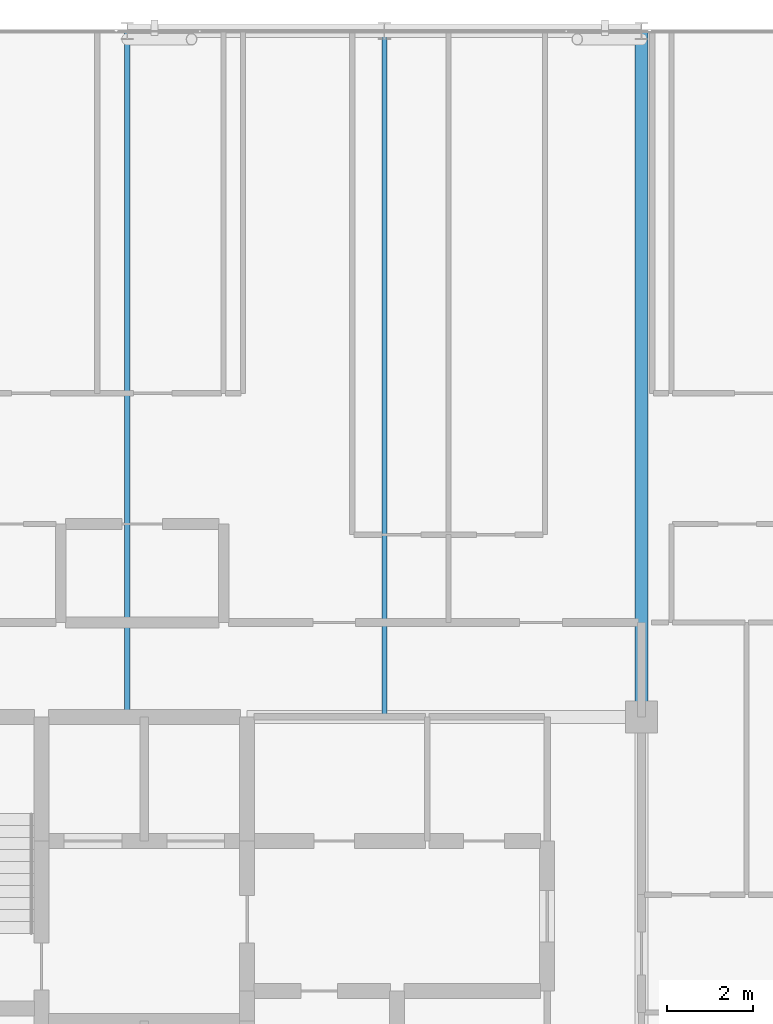
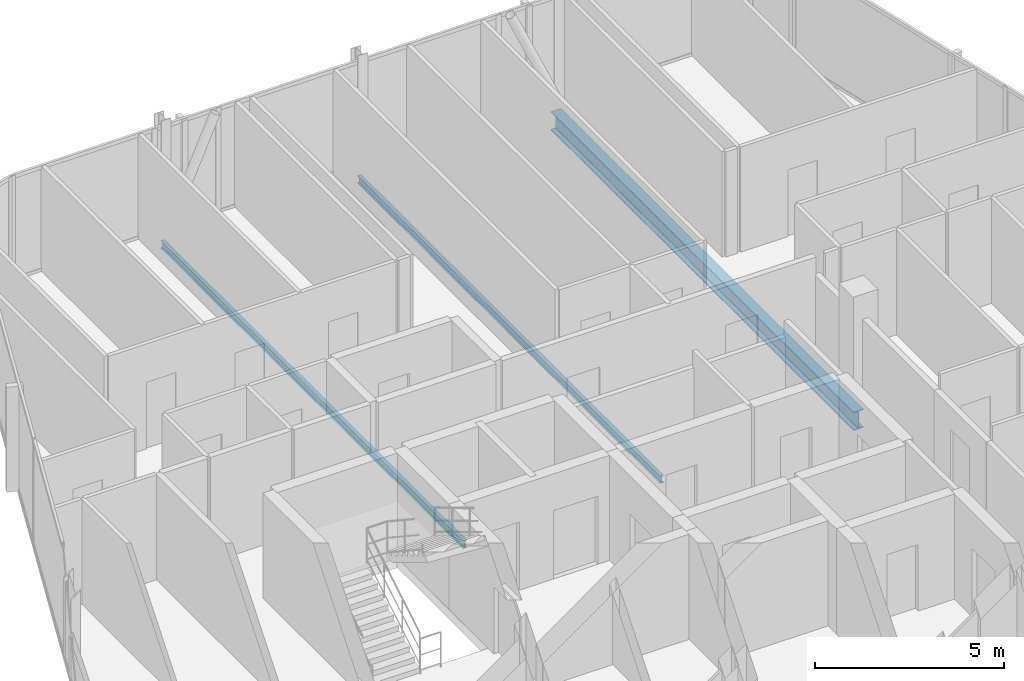
# One storey, part 16 of 27: 3 beams.
"""IFC4 building model written with IfcOpenShell, lengths in metres."""

from ifc_helpers import new_model, si_unit, direction, frame, origin, origin_2d, place, context, subcontext, project, spatial, i_section, extrude, material, material_profile, profile_set, type_object, element, save


model = new_model("IFC4")

# Units and contexts
model_context = context("Model", 3, precision=1e-05, world=origin(), true_north=direction((0.0, 1.0)))
body_context = subcontext(model_context, "Body", "Model", "MODEL_VIEW")
ifc_project = project(units=[si_unit("LENGTHUNIT", "METRE"), si_unit("AREAUNIT", "SQUARE_METRE"), si_unit("VOLUMEUNIT", "CUBIC_METRE"), si_unit("PLANEANGLEUNIT", "RADIAN"), si_unit("MASSUNIT", "GRAM", prefix="KILO")], contexts=[model_context])

# Site, building, storey
site_placement = place(None, origin())
site = spatial("IfcSite", under=ifc_project, at=site_placement, CompositionType="ELEMENT")
building_placement = place(site_placement, origin())
building = spatial("IfcBuilding", under=site, at=building_placement, Name="Keshet Zoharim Tower", CompositionType="ELEMENT")
storey_placement = place(building_placement, frame((0.0, 0.0, 273.199951171875)))
storey = spatial("IfcBuildingStorey", under=building, at=storey_placement, Name="L68", CompositionType="ELEMENT", Elevation=273.199951171875)

# Beams
ifc_material = material(Name="Steel S355", Category="steel")
ifc_material_profile_1 = material_profile(ifc_material, i_section(OverallWidth=0.1201171875, OverallDepth=0.239990234375, WebThickness=0.006103515625, FlangeThickness=0.009765625, FilletRadius=0.014892578125, at=origin_2d()), Name="IPE240")
ifc_profile_set_1 = profile_set([ifc_material_profile_1], Name="Steel S355")
beam_type_1 = type_object("IfcBeamType", Name="BM-JST-IP240", PredefinedType="JOIST", material=ifc_profile_set_1)
for number, where, z_axis, x_axis, name in (
    (1, (21.0, 37.89990234375, -0.429931640625), (0.0, 1.0, 0.0), (-1.0, 0.0, 0.0), "L68 Secondary Floor Joist J-001"),
    (2, (27.0, 37.89990234375, -0.429931640625), (0.0, 1.0, 0.0), (-1.0, 0.0, 0.0), "L68 Secondary Floor Joist J-002"),
):
    element("IfcBeam", number, at=place(storey_placement, frame(where, z_axis=z_axis, x_axis=x_axis)), inside=storey, type_object=beam_type_1, Name=name, PredefinedType="JOIST", context=body_context, shape_type="SweptSolid", body=[
        extrude(i_section(OverallWidth=0.1201171875, OverallDepth=0.239990234375, WebThickness=0.006103515625, FlangeThickness=0.009765625, FilletRadius=0.014892578125, at=origin_2d()), origin(), (0.0, 0.0, 1.0), 16.0),
    ])
ifc_material_profile_2 = material_profile(ifc_material, i_section(OverallWidth=0.300048828125, OverallDepth=0.60009765625, WebThickness=0.015380859375, FlangeThickness=0.030029296875, FilletRadius=0.027099609375, at=origin_2d()), Name="HEB600")
ifc_profile_set_2 = profile_set([ifc_material_profile_2], Name="Steel S355")
beam_type_2 = type_object("IfcBeamType", Name="BM-LNG-HB600", PredefinedType="BEAM", material=ifc_profile_set_2)
beam_placement = place(storey_placement, frame((33.0, 37.89990234375, -0.60986328125), z_axis=(0.0, 1.0, 0.0), x_axis=(-1.0, 0.0, 0.0)))
element("IfcBeam", 3, at=beam_placement, inside=storey, type_object=beam_type_2, Name="L68 Primary Girder Y-009", PredefinedType="BEAM", context=body_context, shape_type="SweptSolid", body=[
    extrude(i_section(OverallWidth=0.300048828125, OverallDepth=0.60009765625, WebThickness=0.015380859375, FlangeThickness=0.030029296875, FilletRadius=0.027099609375, at=origin_2d()), origin(), (0.0, 0.0, 1.0), 16.0),
])

save(model, "model.ifc")
